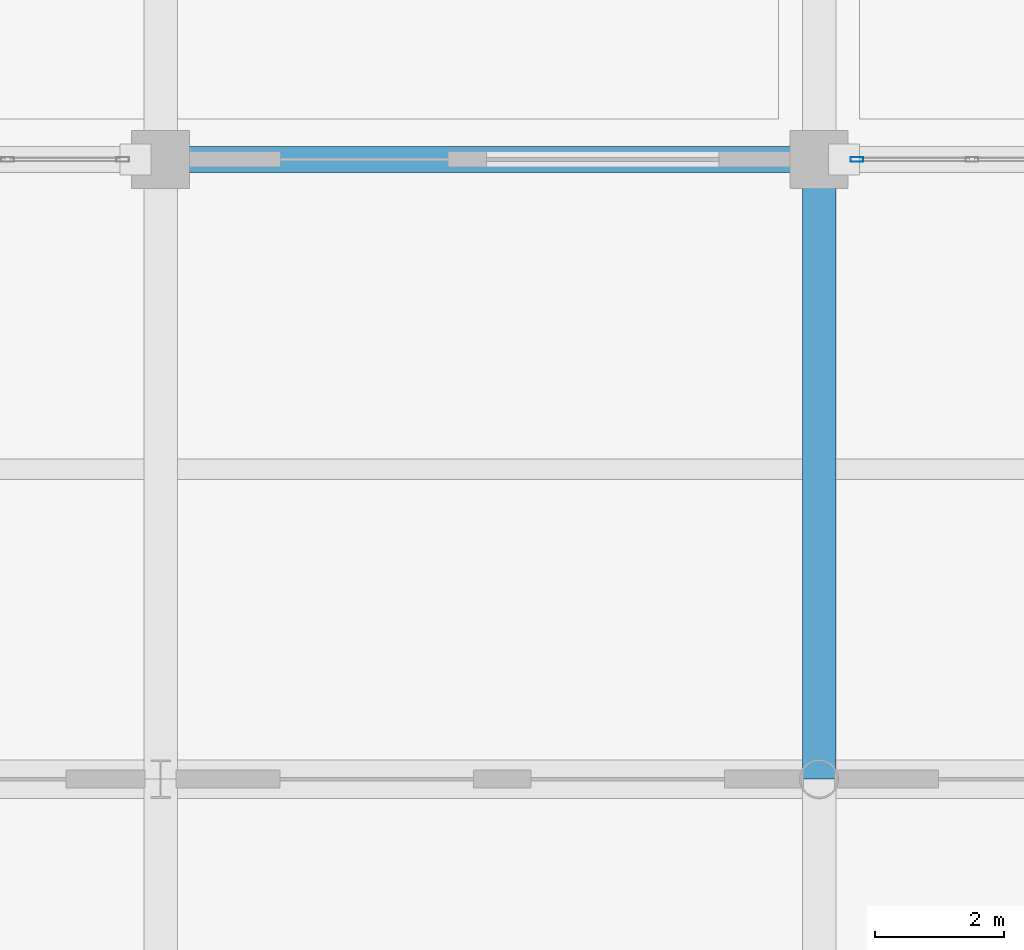
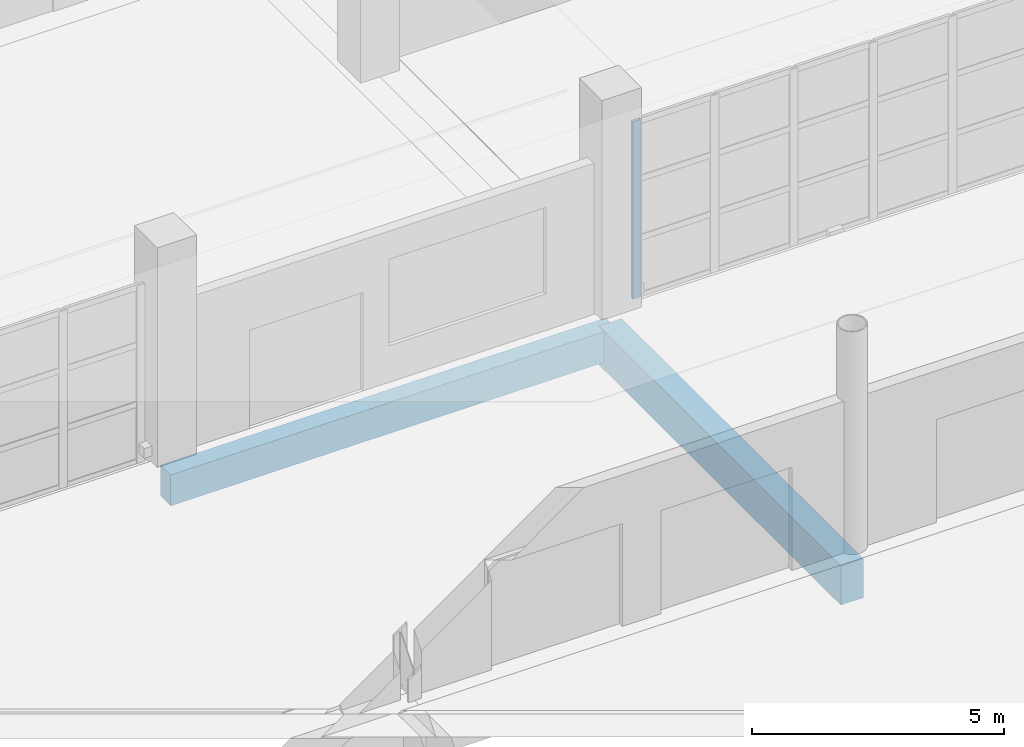
# One storey, part 43 of 124: 2 beams, 1 member, 1 element without a shape of its own.
"""IFC4 building model written with IfcOpenShell, lengths in metres."""

import ifcopenshell
import ifcopenshell.guid

model = None  # the IFC model being written
_history = None  # IfcOwnerHistory: only IFC2X3 demands one
_inside = {}  # id of a spatial element -> (the spatial element, [elements in it])
_under = {}  # id of a project, library or spatial element -> (it, [spatial elements below it])
_declared = {}  # id of a project -> (the project, [libraries it declares])
_typed = {}  # id of a type object -> (the type object, [elements of that type])
_made_of = {}  # id of a material, layer set ... -> (it, [elements and type objects made of it])


def new_model(schema):
    """Start an empty IFC model of exactly this schema.

    Asked for "IFC4X3", IfcOpenShell would pick the latest addendum, in which some entities
    have other attributes; the version numbers below select the first issue.
    IFC2X3 requires an IfcOwnerHistory on every rooted entity: one is made here for all.
    """
    global model, _history
    if schema == "IFC4X3":
        model = ifcopenshell.file(schema_version=(4, 3, 0, 0))
    else:
        model = ifcopenshell.file(schema=schema)
    _inside.clear()
    _under.clear()
    _declared.clear()
    _typed.clear()
    _made_of.clear()
    _history = None
    if model.schema == "IFC2X3":
        org = make("IfcOrganization", Name="unknown")
        user = make(
            "IfcPersonAndOrganization",
            ThePerson=make("IfcPerson", FamilyName="unknown"),
            TheOrganization=org,
        )
        app = make(
            "IfcApplication",
            ApplicationDeveloper=org,
            Version="unknown",
            ApplicationFullName="unknown",
            ApplicationIdentifier="unknown",
        )
        _history = make(
            "IfcOwnerHistory",
            OwningUser=user,
            OwningApplication=app,
            ChangeAction="ADDED",
            CreationDate=0,
        )
    return model


def make(cls, **values):
    """One entity of the class cls with the attributes given. An attribute that is None is left unset."""
    return model.create_entity(
        cls, **{name: value for name, value in values.items() if value is not None}
    )


def rooted(cls, **values):
    """An entity with a GlobalId (a new one), such as an element, a storey or a relation."""
    return make(cls, GlobalId=ifcopenshell.guid.new(), OwnerHistory=_history, **values)


def si_unit(unit_type, name, prefix=None):
    """IfcSIUnit, for example si_unit("LENGTHUNIT", "METRE", prefix="MILLI")."""
    return make("IfcSIUnit", UnitType=unit_type, Prefix=prefix, Name=name)


def assignment(units):
    """IfcUnitAssignment: the units of a project."""
    return None if units is None else make("IfcUnitAssignment", Units=units)


def point(xyz):
    """IfcCartesianPoint."""
    return None if xyz is None else make("IfcCartesianPoint", Coordinates=xyz)


def direction(xyz):
    """IfcDirection."""
    return None if xyz is None else make("IfcDirection", DirectionRatios=xyz)


def frame(location, z_axis=None, x_axis=None):
    """IfcAxis2Placement3D, a coordinate frame: its origin and axes. An axis left out is left unset."""
    return make(
        "IfcAxis2Placement3D",
        Location=point(location),
        Axis=direction(z_axis),
        RefDirection=direction(x_axis),
    )


def frame_2d(location, x_axis=None):
    """IfcAxis2Placement2D, a coordinate frame in the plane: its origin and x axis."""
    return make(
        "IfcAxis2Placement2D", Location=point(location), RefDirection=direction(x_axis)
    )


def origin():
    """The frame at (0, 0, 0) with its axes left unset."""
    return frame((0.0, 0.0, 0.0))


def origin_2d():
    """The frame at (0, 0) in the plane with its x axis left unset."""
    return frame_2d((0.0, 0.0))


def place(relative_to, where):
    """IfcLocalPlacement: puts the frame where relative to a parent placement (None: the world)."""
    return make(
        "IfcLocalPlacement", PlacementRelTo=relative_to, RelativePlacement=where
    )


def context(
    kind, dimensions, precision=None, world=None, true_north=None, identifier=None
):
    """IfcGeometricRepresentationContext, for example the 3D "Model" context."""
    return make(
        "IfcGeometricRepresentationContext",
        ContextIdentifier=identifier,
        ContextType=kind,
        CoordinateSpaceDimension=dimensions,
        Precision=precision,
        WorldCoordinateSystem=world,
        TrueNorth=true_north,
    )


def subcontext(parent, identifier, kind, view, scale=None):
    """IfcGeometricRepresentationSubContext, for example "Body" below "Model"."""
    return make(
        "IfcGeometricRepresentationSubContext",
        ContextIdentifier=identifier,
        ContextType=kind,
        ParentContext=parent,
        TargetScale=scale,
        TargetView=view,
    )


def project(units=None, contexts=None):
    """IfcProject with its units and contexts."""
    return rooted(
        "IfcProject",
        Name="project",
        RepresentationContexts=contexts,
        UnitsInContext=assignment(units),
    )


def spatial(cls, under=None, at=None, **own):
    """A site, building, storey or space (cls), placed at a placement, below another one or the project."""
    s = rooted(cls, ObjectPlacement=at, **own)
    if under is not None:
        _under.setdefault(under.id(), (under, []))[1].append(s)
    return s


def profile(cls, at=None, kind="AREA", **sizes):
    """A parametric profile (cls). Its sizes go by their IFC names, for example OverallWidth=200.0."""
    return make(cls, ProfileType=kind, Position=at, **sizes)


def rectangle(**sizes):
    """IfcRectangleProfileDef."""
    return profile("IfcRectangleProfileDef", **sizes)


def hollow_rectangle(**sizes):
    """IfcRectangleHollowProfileDef."""
    return profile("IfcRectangleHollowProfileDef", **sizes)


def extrude(swept, where, along, depth):
    """IfcExtrudedAreaSolid: the profile swept, set in the frame where, extruded along a direction by depth."""
    return make(
        "IfcExtrudedAreaSolid",
        SweptArea=swept,
        Position=where,
        ExtrudedDirection=direction(along),
        Depth=depth,
    )


def shape(context_of_items, identifier, shape_type, items):
    """IfcShapeRepresentation: the items that make up one representation, for example the "Body"."""
    return make(
        "IfcShapeRepresentation",
        ContextOfItems=context_of_items,
        RepresentationIdentifier=identifier,
        RepresentationType=shape_type,
        Items=items,
    )


def material(Name=None, Category=None):
    """IfcMaterial."""
    return make("IfcMaterial", Name=Name, Category=Category)


def material_profile(
    of_material, cross_section, Name=None, Category=None, Priority=None
):
    """IfcMaterialProfile: a cross section and its material."""
    return make(
        "IfcMaterialProfile",
        Name=Name,
        Material=of_material,
        Profile=cross_section,
        Priority=Priority,
        Category=Category,
    )


def profile_set(profiles, Name=None, composite=None):
    """IfcMaterialProfileSet."""
    return make(
        "IfcMaterialProfileSet",
        Name=Name,
        MaterialProfiles=profiles,
        CompositeProfile=composite,
    )


def made_of(thing, what):
    """Note that an element or type object is made of a material, layer set ...; save() writes the relation."""
    if what is not None:
        _made_of.setdefault(what.id(), (what, []))[1].append(thing)
    return thing


def type_object(cls, material=None, **own):
    """A type object (cls), such as IfcWallType, which elements share."""
    return made_of(rooted(cls, **own), material)


def element(
    cls,
    number,
    at=None,
    inside=None,
    cuts=None,
    type_object=None,
    material=None,
    context=None,
    identifier="Body",
    shape_type=None,
    held_by="IfcProductDefinitionShape",
    body=None,
    shapes=None,
    **own,
):
    """One element of the class cls, such as IfcWall. Its Tag is "e" and its number.

    at: its placement. inside: the storey or other place that contains it. cuts: it is an
    opening in that element (IfcRelVoidsElement). A single representation is given by context,
    identifier, shape_type and body (its items); several are given by shapes. held_by: the class
    of the entity that holds the representations. save() writes the other relations.
    """
    e = rooted(cls, Tag="e%d" % number, ObjectPlacement=at, **own)
    if body is not None:
        shapes = [shape(context, identifier, shape_type, body)]
    if shapes is not None:
        e.Representation = make(held_by, Representations=shapes)
    if inside is not None:
        _inside.setdefault(inside.id(), (inside, []))[1].append(e)
    if cuts is not None:
        rooted(
            "IfcRelVoidsElement", RelatingBuildingElement=cuts, RelatedOpeningElement=e
        )
    if type_object is not None:
        _typed.setdefault(type_object.id(), (type_object, []))[1].append(e)
    return made_of(e, material)


def aggregate(whole, parts):
    """IfcRelAggregates: a whole, such as a stair, and the parts it consists of."""
    return rooted("IfcRelAggregates", RelatingObject=whole, RelatedObjects=parts)


def save(model, path):
    """Write the relations noted so far, then the file.

    IfcRelAggregates (storeys below a building ...), IfcRelContainedInSpatialStructure (elements
    in a storey), IfcRelDefinesByType, IfcRelAssociatesMaterial and IfcRelDeclares: one each for
    every whole, place, type object, material and project.
    """
    for whole, parts in _under.values():
        aggregate(whole, parts)
    for where, things in _inside.values():
        rooted(
            "IfcRelContainedInSpatialStructure",
            RelatedElements=things,
            RelatingStructure=where,
        )
    for kind, things in _typed.values():
        rooted("IfcRelDefinesByType", RelatedObjects=things, RelatingType=kind)
    for what, things in _made_of.values():
        rooted("IfcRelAssociatesMaterial", RelatedObjects=things, RelatingMaterial=what)
    for by, libraries in _declared.values():
        rooted("IfcRelDeclares", RelatingContext=by, RelatedDefinitions=libraries)
    model.write(path)


model = new_model("IFC4")

# Units and contexts
model_context = context("Model", 3, precision=1e-05, world=origin(), true_north=direction((0.0, 1.0)))
body_context = subcontext(model_context, "Body", "Model", "MODEL_VIEW")
ifc_project = project(units=[si_unit("LENGTHUNIT", "METRE"), si_unit("AREAUNIT", "SQUARE_METRE"), si_unit("VOLUMEUNIT", "CUBIC_METRE"), si_unit("PLANEANGLEUNIT", "RADIAN"), si_unit("MASSUNIT", "GRAM", prefix="KILO")], contexts=[model_context])

# Site, building, storey
site_placement = place(None, origin())
site = spatial("IfcSite", under=ifc_project, at=site_placement, CompositionType="ELEMENT")
building_placement = place(site_placement, origin())
building = spatial("IfcBuilding", under=site, at=building_placement, Name="Brelvane Convention Centre", CompositionType="ELEMENT")
storey_placement = place(building_placement, origin())
storey = spatial("IfcBuildingStorey", under=building, at=storey_placement, Name="L00", CompositionType="ELEMENT", Elevation=0.0)

# Curtain wall, member
ifc_material_1 = material(Name="Anodised Aluminium Alloy 6063-T6", Category="aluminium")
curtain_wall_type = type_object("IfcCurtainWallType", Name="Curtain Wall CW-COURT", PredefinedType="USERDEFINED", material=ifc_material_1)
curtain_wall_placement = place(storey_placement, origin())
curtain_wall = element("IfcCurtainWall", 1, at=curtain_wall_placement, inside=storey, type_object=curtain_wall_type, Name="Curtain Wall CW-COURT L00-V4S-07", ObjectType="UNITISED", PredefinedType="USERDEFINED")
ifc_material_2 = material(Name="Anodised Aluminium Alloy 6063-T6", Category="aluminium")
ifc_material_profile_1 = material_profile(ifc_material_2, hollow_rectangle(XDim=0.074951171875, YDim=0.199951171875, WallThickness=0.0048828125, InnerFilletRadius=0.0048828125, OuterFilletRadius=0.010009765625, at=origin_2d()), Name="ALU-M 200x75x5.0")
ifc_profile_set_1 = profile_set([ifc_material_profile_1], Name="Anodised Aluminium Alloy 6063-T6")
member_type = type_object("IfcMemberType", Name="Curtain Mullion CW-M2", PredefinedType="MULLION", material=ifc_profile_set_1)
member_placement = place(storey_placement, frame((61.78759765625, 109.199951171875, 0.0), z_axis=(0.0, 0.0, 1.0), x_axis=(0.0, 1.0, 0.0)))
member = element("IfcMember", 2, at=member_placement, type_object=member_type, Name="CW-COURT mullion 1", PredefinedType="MULLION", context=body_context, shape_type="SweptSolid", body=[
    extrude(hollow_rectangle(XDim=0.074951171875, YDim=0.199951171875, WallThickness=0.0048828125, InnerFilletRadius=0.0048828125, OuterFilletRadius=0.010009765625, at=origin_2d()), origin(), (0.0, 0.0, 1.0), 4.300048828125),
])
aggregate(curtain_wall, [member])

# Beams
ifc_material_3 = material(Name="Concrete M50", Category="concrete")
ifc_material_profile_2 = material_profile(ifc_material_3, rectangle(XDim=0.52001953125, YDim=0.949951171875, at=origin_2d()), Name="RC 520x950")
ifc_profile_set_2 = profile_set([ifc_material_profile_2], Name="Concrete M50")
beam_type_1 = type_object("IfcBeamType", Name="RC Beam B-RC9 (RC 520x950)", PredefinedType="BEAM", material=ifc_profile_set_2)
beam_1_placement = place(storey_placement, frame((61.199951171875, 99.60009765625, -0.875), z_axis=(0.0, 1.0, 0.0), x_axis=(-1.0, 0.0, 0.0)))
element("IfcBeam", 3, at=beam_1_placement, inside=storey, type_object=beam_type_1, Name="L00 Girder 7/K-L", PredefinedType="BEAM", context=body_context, shape_type="SweptSolid", body=[
    extrude(rectangle(XDim=0.52001953125, YDim=0.949951171875, at=origin_2d()), origin(), (0.0, 0.0, 1.0), 9.599853515625),
])
ifc_material_4 = material(Name="Concrete M40", Category="concrete")
ifc_material_profile_3 = material_profile(ifc_material_4, rectangle(XDim=0.39990234375, YDim=0.75, at=origin_2d()), Name="RC 400x750")
ifc_profile_set_3 = profile_set([ifc_material_profile_3], Name="Concrete M40")
beam_type_2 = type_object("IfcBeamType", Name="RC Spandrel SP-RC1 (RC 400x750)", PredefinedType="SPANDREL", material=ifc_profile_set_3)
beam_2_placement = place(storey_placement, frame((51.0, 109.199951171875, -0.7900390625), z_axis=(1.0, 0.0, 0.0), x_axis=(0.0, 1.0, 0.0)))
element("IfcBeam", 4, at=beam_2_placement, inside=storey, type_object=beam_type_2, Name="L00 Beam 6-7/L", PredefinedType="SPANDREL", context=body_context, shape_type="SweptSolid", body=[
    extrude(rectangle(XDim=0.39990234375, YDim=0.75, at=origin_2d()), origin(), (0.0, 0.0, 1.0), 10.199951171875),
])

save(model, "model.ifc")
